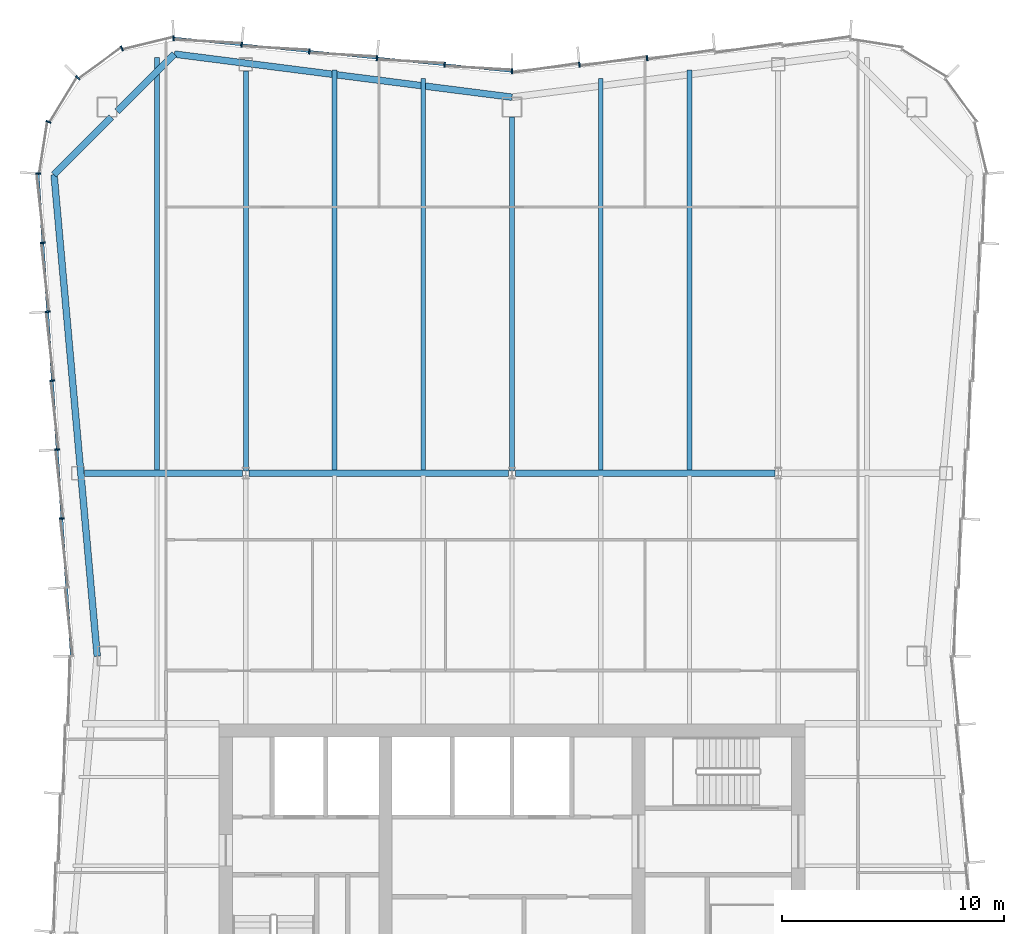
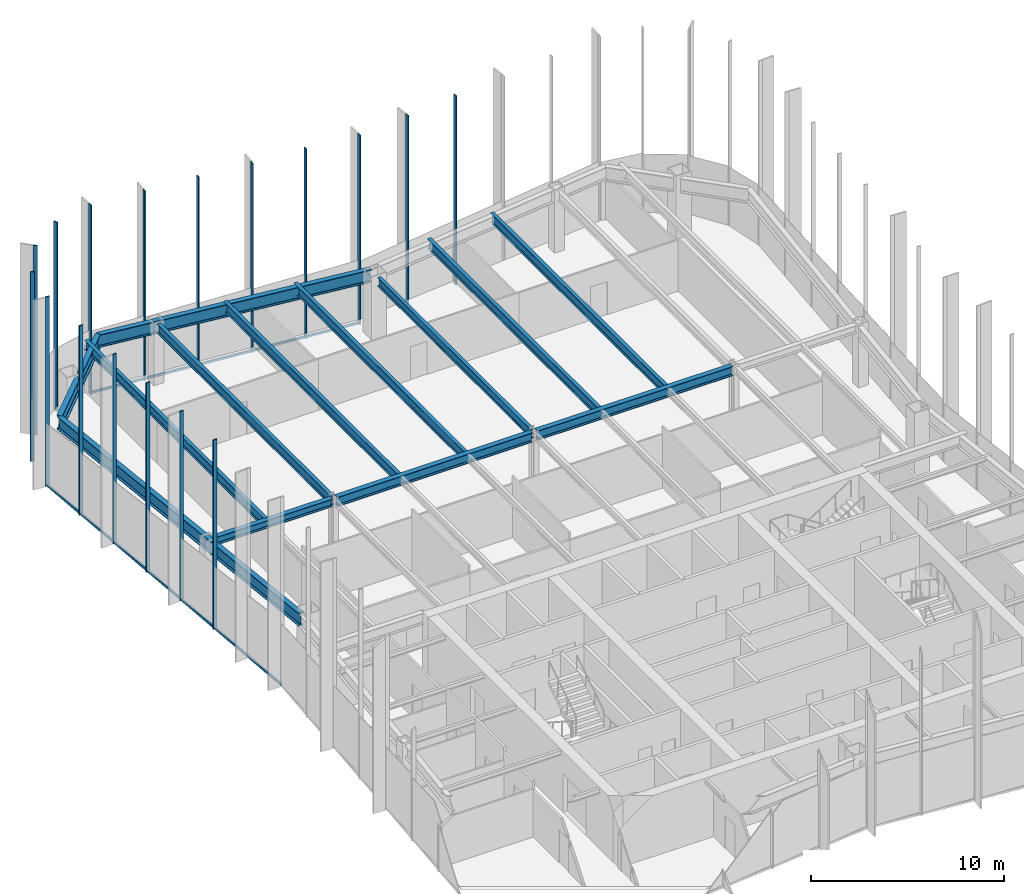
# One storey, part 6 of 13: 19 members, 14 beams, 3 elements without a shape of their own.
"""IFC4 building model written with IfcOpenShell, lengths in metres."""

from ifc_helpers import new_model, si_unit, direction, frame, origin, origin_2d, place, context, subcontext, project, spatial, rectangle, i_section, extrude, material, material_profile, profile_set, type_object, element, aggregate, save


model = new_model("IFC4")

# Units and contexts
model_context = context("Model", 3, precision=1e-05, world=origin(), true_north=direction((0.0, 1.0)))
body_context = subcontext(model_context, "Body", "Model", "MODEL_VIEW")
ifc_project = project(units=[si_unit("LENGTHUNIT", "METRE"), si_unit("AREAUNIT", "SQUARE_METRE"), si_unit("VOLUMEUNIT", "CUBIC_METRE"), si_unit("PLANEANGLEUNIT", "RADIAN"), si_unit("MASSUNIT", "GRAM", prefix="KILO")], contexts=[model_context])

# Site, building, storey
site_placement = place(None, origin())
site = spatial("IfcSite", under=ifc_project, at=site_placement, CompositionType="ELEMENT")
building_placement = place(site_placement, origin())
building = spatial("IfcBuilding", under=site, at=building_placement, Name="Verdant Reach Tower", CompositionType="ELEMENT")
storey_placement = place(building_placement, frame((0.0, 0.0, 318.0)))
storey = spatial("IfcBuildingStorey", under=building, at=storey_placement, Name="L73", CompositionType="ELEMENT", Elevation=318.0)

# Curtain wall, members
ifc_material_1 = material(Name="Anodised aluminium", Category="aluminium")
curtain_wall_type = type_object("IfcCurtainWallType", Name="EN-CW SYSTEM Z5", PredefinedType="NOTDEFINED", material=ifc_material_1)
curtain_wall_1_placement = place(storey_placement, origin())
curtain_wall_1 = element("IfcCurtainWall", 1, at=curtain_wall_1_placement, inside=storey, type_object=curtain_wall_type, Name="Curtain wall north, L73", PredefinedType="NOTDEFINED")
ifc_material_profile_1 = material_profile(ifc_material_1, rectangle(XDim=0.22998046875, YDim=0.070068359375, at=origin_2d()), Name="Mullion 70x230")
ifc_profile_set_1 = profile_set([ifc_material_profile_1], Name="Anodised aluminium")
member_type_1 = type_object("IfcMemberType", Name="EN-MULLION Z5", PredefinedType="MULLION", material=ifc_profile_set_1)
member_1_placement = place(storey_placement, frame((6.088623046875, 68.21435546875, -0.35009765625), z_axis=(0.0, 0.0, 1.0), x_axis=(-0.09788826992, 0.995197410875, 0.0)))
member_1 = element("IfcMember", 2, at=member_1_placement, type_object=member_type_1, Name="Mullion north face part 1 4, L73", PredefinedType="MULLION", context=body_context, shape_type="SweptSolid", body=[
    extrude(rectangle(XDim=0.22998046875, YDim=0.070068359375, at=origin_2d()), origin(), (0.0, 0.0, 1.0), 12.0),
])
member_2_placement = place(storey_placement, frame((3.038818359375, 67.91455078125, -0.35009765625), z_axis=(0.0, 0.0, 1.0), x_axis=(-0.09788826992, 0.995197410875, 0.0)))
member_2 = element("IfcMember", 3, at=member_2_placement, type_object=member_type_1, Name="Mullion north face part 1 5, L73", PredefinedType="MULLION", context=body_context, shape_type="SweptSolid", body=[
    extrude(rectangle(XDim=0.22998046875, YDim=0.070068359375, at=origin_2d()), origin(), (0.0, 0.0, 1.0), 12.0),
])
member_3_placement = place(storey_placement, frame((0.0, 67.614990234375, -0.35009765625), z_axis=(0.0, 0.0, 1.0), x_axis=(0.0, 1.0, 0.0)))
member_3 = element("IfcMember", 4, at=member_3_placement, type_object=member_type_1, Name="Mullion north face part 2 1, L73", PredefinedType="MULLION", context=body_context, shape_type="SweptSolid", body=[
    extrude(rectangle(XDim=0.22998046875, YDim=0.070068359375, at=origin_2d()), origin(), (0.0, 0.0, 1.0), 12.0),
])
member_4_placement = place(storey_placement, frame((-3.038818359375, 67.91455078125, -0.35009765625), z_axis=(0.0, 0.0, 1.0), x_axis=(0.09788826992, 0.995197410875, 0.0)))
member_4 = element("IfcMember", 5, at=member_4_placement, type_object=member_type_1, Name="Mullion north face part 2 2, L73", PredefinedType="MULLION", context=body_context, shape_type="SweptSolid", body=[
    extrude(rectangle(XDim=0.22998046875, YDim=0.070068359375, at=origin_2d()), origin(), (0.0, 0.0, 1.0), 12.0),
])
member_5_placement = place(storey_placement, frame((-6.088623046875, 68.21435546875, -0.35009765625), z_axis=(0.0, 0.0, 1.0), x_axis=(0.09788826992, 0.995197410875, 0.0)))
member_5 = element("IfcMember", 6, at=member_5_placement, type_object=member_type_1, Name="Mullion north face part 2 3, L73", PredefinedType="MULLION", context=body_context, shape_type="SweptSolid", body=[
    extrude(rectangle(XDim=0.22998046875, YDim=0.070068359375, at=origin_2d()), origin(), (0.0, 0.0, 1.0), 12.0),
])
member_6_placement = place(storey_placement, frame((-9.138671875, 68.514404296875, -0.35009765625), z_axis=(0.0, 0.0, 1.0), x_axis=(0.09788826992, 0.995197410875, 0.0)))
member_6 = element("IfcMember", 7, at=member_6_placement, type_object=member_type_1, Name="Mullion north face part 2 4, L73", PredefinedType="MULLION", context=body_context, shape_type="SweptSolid", body=[
    extrude(rectangle(XDim=0.22998046875, YDim=0.070068359375, at=origin_2d()), origin(), (0.0, 0.0, 1.0), 12.0),
])
member_7_placement = place(storey_placement, frame((-12.188720703125, 68.814453125, -0.35009765625), z_axis=(0.0, 0.0, 1.0), x_axis=(0.09788826992, 0.995197410875, 0.0)))
member_7 = element("IfcMember", 8, at=member_7_placement, type_object=member_type_1, Name="Mullion north face part 2 5, L73", PredefinedType="MULLION", context=body_context, shape_type="SweptSolid", body=[
    extrude(rectangle(XDim=0.22998046875, YDim=0.070068359375, at=origin_2d()), origin(), (0.0, 0.0, 1.0), 12.0),
])

curtain_wall_2_placement = place(storey_placement, origin())
curtain_wall_2 = element("IfcCurtainWall", 9, at=curtain_wall_2_placement, inside=storey, type_object=curtain_wall_type, Name="Curtain wall north-west corner, L73", PredefinedType="NOTDEFINED")
member_8_placement = place(storey_placement, frame((-15.255615234375, 69.11474609375, -0.35009765625), z_axis=(0.0, 0.0, 1.0), x_axis=(-0.049127596288, 0.998792510626, 0.0)))
member_8 = element("IfcMember", 10, at=member_8_placement, type_object=member_type_1, Name="Mullion north-west corner 1, L73", PredefinedType="MULLION", context=body_context, shape_type="SweptSolid", body=[
    extrude(rectangle(XDim=0.22998046875, YDim=0.070068359375, at=origin_2d()), origin(), (0.0, 0.0, 1.0), 12.0),
])
member_9_placement = place(storey_placement, frame((-17.590087890625, 68.649658203125, -0.35009765625), z_axis=(0.0, 0.0, 1.0), x_axis=(-0.382693853776, 0.923875215753, 0.0)))
member_9 = element("IfcMember", 11, at=member_9_placement, type_object=member_type_1, Name="Mullion north-west corner 2, L73", PredefinedType="MULLION", context=body_context, shape_type="SweptSolid", body=[
    extrude(rectangle(XDim=0.22998046875, YDim=0.070068359375, at=origin_2d()), origin(), (0.0, 0.0, 1.0), 12.0),
])
member_10_placement = place(storey_placement, frame((-19.573974609375, 67.323974609375, -0.35009765625), z_axis=(0.0, 0.0, 1.0), x_axis=(-0.707106781187, 0.707106781187, 0.0)))
member_10 = element("IfcMember", 12, at=member_10_placement, type_object=member_type_1, Name="Mullion north-west corner 3, L73", PredefinedType="MULLION", context=body_context, shape_type="SweptSolid", body=[
    extrude(rectangle(XDim=0.22998046875, YDim=0.070068359375, at=origin_2d()), origin(), (0.0, 0.0, 1.0), 12.0),
])
member_11_placement = place(storey_placement, frame((-20.899658203125, 65.340087890625, -0.35009765625), z_axis=(0.0, 0.0, 1.0), x_axis=(-0.923875215753, 0.382693853776, 0.0)))
member_11 = element("IfcMember", 13, at=member_11_placement, type_object=member_type_1, Name="Mullion north-west corner 4, L73", PredefinedType="MULLION", context=body_context, shape_type="SweptSolid", body=[
    extrude(rectangle(XDim=0.22998046875, YDim=0.070068359375, at=origin_2d()), origin(), (0.0, 0.0, 1.0), 12.0),
])
aggregate(curtain_wall_2, [member_8, member_9, member_10, member_11])

curtain_wall_3_placement = place(storey_placement, origin())
curtain_wall_3 = element("IfcCurtainWall", 14, at=curtain_wall_3_placement, inside=storey, type_object=curtain_wall_type, Name="Curtain wall west, L73", PredefinedType="NOTDEFINED")
member_12_placement = place(storey_placement, frame((-21.36474609375, 63.00732421875, -0.35009765625), z_axis=(0.0, 0.0, 1.0), x_axis=(-0.997969180898, 0.063698618332, 0.0)))
member_12 = element("IfcMember", 15, at=member_12_placement, type_object=member_type_1, Name="Mullion west face part 1 1, L73", PredefinedType="MULLION", context=body_context, shape_type="SweptSolid", body=[
    extrude(rectangle(XDim=0.22998046875, YDim=0.070068359375, at=origin_2d()), origin(), (0.0, 0.0, 1.0), 12.0),
])
member_13_placement = place(storey_placement, frame((-21.150390625, 59.885009765625, -0.35009765625), z_axis=(0.0, 0.0, 1.0), x_axis=(-0.997630328423, -0.068802091615, 0.0)))
member_13 = element("IfcMember", 16, at=member_13_placement, type_object=member_type_1, Name="Mullion west face part 1 2, L73", PredefinedType="MULLION", context=body_context, shape_type="SweptSolid", body=[
    extrude(rectangle(XDim=0.22998046875, YDim=0.070068359375, at=origin_2d()), origin(), (0.0, 0.0, 1.0), 12.0),
])
member_14_placement = place(storey_placement, frame((-20.93603515625, 56.77783203125, -0.35009765625), z_axis=(0.0, 0.0, 1.0), x_axis=(-0.997630328423, -0.068802091615, 0.0)))
member_14 = element("IfcMember", 17, at=member_14_placement, type_object=member_type_1, Name="Mullion west face part 1 3, L73", PredefinedType="MULLION", context=body_context, shape_type="SweptSolid", body=[
    extrude(rectangle(XDim=0.22998046875, YDim=0.070068359375, at=origin_2d()), origin(), (0.0, 0.0, 1.0), 12.0),
])
member_15_placement = place(storey_placement, frame((-20.721923828125, 53.670654296875, -0.35009765625), z_axis=(0.0, 0.0, 1.0), x_axis=(-0.997630328423, -0.068802091615, 0.0)))
member_15 = element("IfcMember", 18, at=member_15_placement, type_object=member_type_1, Name="Mullion west face part 1 4, L73", PredefinedType="MULLION", context=body_context, shape_type="SweptSolid", body=[
    extrude(rectangle(XDim=0.22998046875, YDim=0.070068359375, at=origin_2d()), origin(), (0.0, 0.0, 1.0), 12.0),
])
member_16_placement = place(storey_placement, frame((-20.507568359375, 50.5634765625, -0.35009765625), z_axis=(0.0, 0.0, 1.0), x_axis=(-0.997630328423, -0.068802091615, 0.0)))
member_16 = element("IfcMember", 19, at=member_16_placement, type_object=member_type_1, Name="Mullion west face part 1 5, L73", PredefinedType="MULLION", context=body_context, shape_type="SweptSolid", body=[
    extrude(rectangle(XDim=0.22998046875, YDim=0.070068359375, at=origin_2d()), origin(), (0.0, 0.0, 1.0), 12.0),
])
member_17_placement = place(storey_placement, frame((-20.293212890625, 47.456298828125, -0.35009765625), z_axis=(0.0, 0.0, 1.0), x_axis=(-0.997630328423, -0.068802091615, 0.0)))
member_17 = element("IfcMember", 20, at=member_17_placement, type_object=member_type_1, Name="Mullion west face part 1 6, L73", PredefinedType="MULLION", context=body_context, shape_type="SweptSolid", body=[
    extrude(rectangle(XDim=0.22998046875, YDim=0.070068359375, at=origin_2d()), origin(), (0.0, 0.0, 1.0), 12.0),
])

# Member
ifc_material_profile_2 = material_profile(ifc_material_1, rectangle(XDim=0.10009765625, YDim=0.1298828125, at=origin_2d()), Name="Transom 130x100")
ifc_profile_set_2 = profile_set([ifc_material_profile_2], Name="Anodised aluminium")
member_type_2 = type_object("IfcMemberType", Name="EN-TRANSOM Z5", PredefinedType="USERDEFINED", material=ifc_profile_set_2)
member_18_placement = place(storey_placement, frame((-0.034912109375, 67.618408203125, -0.284912109375), z_axis=(-0.99520229006, 0.097838652171, 0.0), x_axis=(-0.097838652171, -0.99520229006, 0.0)))
member_18 = element("IfcMember", 21, at=member_18_placement, type_object=member_type_2, Name="Transom north face part 2 1.1, L73", ObjectType="TRANSOM", PredefinedType="USERDEFINED", context=body_context, shape_type="SweptSolid", body=[
    extrude(rectangle(XDim=0.10009765625, YDim=0.1298828125, at=origin_2d()), origin(), (0.0, 0.0, 1.0), 15.259033203125),
])

aggregate(curtain_wall_1, [member_1, member_2, member_3, member_4, member_5, member_6, member_7, member_18])

member_19_placement = place(storey_placement, frame((-21.3623046875, 62.972412109375, -0.284912109375), z_axis=(0.068764705107, -0.997632906099, 0.0), x_axis=(0.997632906099, 0.068764705107, 0.0)))
member_19 = element("IfcMember", 22, at=member_19_placement, type_object=member_type_2, Name="Transom west face part 1 1.1, L73", ObjectType="TRANSOM", PredefinedType="USERDEFINED", context=body_context, shape_type="SweptSolid", body=[
    extrude(rectangle(XDim=0.10009765625, YDim=0.1298828125, at=origin_2d()), origin(), (0.0, 0.0, 1.0), 21.739013671875),
])

aggregate(curtain_wall_3, [member_12, member_13, member_14, member_15, member_16, member_17, member_19])

# Beams
ifc_material_2 = material(Name="Steel S355", Category="steel")
ifc_material_profile_3 = material_profile(ifc_material_2, i_section(OverallWidth=0.300048828125, OverallDepth=0.489990234375, WebThickness=0.011962890625, FlangeThickness=0.02294921875, FilletRadius=0.027099609375, at=origin_2d()), Name="HEA 500")
ifc_profile_set_3 = profile_set([ifc_material_profile_3], Name="Steel S355")
beam_type_1 = type_object("IfcBeamType", Name="ST-BEAM-HEA500", PredefinedType="BEAM", material=ifc_profile_set_3)
beam_1_placement = place(storey_placement, frame((-19.26904296875, 49.5, 3.625), z_axis=(1.0, 0.0, 0.0), x_axis=(0.0, 1.0, 0.0)))
element("IfcBeam", 23, at=beam_1_placement, inside=storey, type_object=beam_type_1, Name="Row girder, L73", PredefinedType="BEAM", context=body_context, shape_type="SweptSolid", body=[
    extrude(i_section(OverallWidth=0.300048828125, OverallDepth=0.489990234375, WebThickness=0.011962890625, FlangeThickness=0.02294921875, FilletRadius=0.027099609375, at=origin_2d()), origin(), (0.0, 0.0, 1.0), 7.115966796875),
])
ifc_material_profile_4 = material_profile(ifc_material_2, i_section(OverallWidth=0.300048828125, OverallDepth=0.60009765625, WebThickness=0.015380859375, FlangeThickness=0.030029296875, FilletRadius=0.027099609375, at=origin_2d()), Name="HEB 600")
ifc_profile_set_4 = profile_set([ifc_material_profile_4], Name="Steel S355")
beam_type_2 = type_object("IfcBeamType", Name="ST-BEAM-HEB600", PredefinedType="BEAM", material=ifc_profile_set_4)
for number, where, z_axis, x_axis, name in (
    (24, (-11.846923828125, 49.5, 3.570068359375), (1.0, 0.0, 0.0), (0.0, 1.0, 0.0), "Row girder, L73"),
    (25, (0.153076171875, 49.5, 3.570068359375), (1.0, 0.0, 0.0), (0.0, 1.0, 0.0), "Row girder, L73"),
):
    element("IfcBeam", number, at=place(storey_placement, frame(where, z_axis=z_axis, x_axis=x_axis)), inside=storey, type_object=beam_type_2, Name=name, PredefinedType="BEAM", context=body_context, shape_type="SweptSolid", body=[
        extrude(i_section(OverallWidth=0.300048828125, OverallDepth=0.60009765625, WebThickness=0.015380859375, FlangeThickness=0.030029296875, FilletRadius=0.027099609375, at=origin_2d()), origin(), (0.0, 0.0, 1.0), 11.69384765625),
    ])
ifc_material_profile_5 = material_profile(ifc_material_2, i_section(OverallWidth=0.2099609375, OverallDepth=0.550048828125, WebThickness=0.010986328125, FlangeThickness=0.01708984375, FilletRadius=0.02392578125, at=origin_2d()), Name="IPE 550")
ifc_profile_set_5 = profile_set([ifc_material_profile_5], Name="Steel S355")
beam_type_3 = type_object("IfcBeamType", Name="ST-JOIST-IPE550", PredefinedType="JOIST", material=ifc_profile_set_5)
beam_2_placement = place(storey_placement, frame((0.0, 49.60009765625, 3.594970703125), z_axis=(0.0, 1.0, 0.0), x_axis=(-1.0, 0.0, 0.0)))
element("IfcBeam", 26, at=beam_2_placement, inside=storey, type_object=beam_type_3, Name="Floor joist, L73", PredefinedType="JOIST", context=body_context, shape_type="SweptSolid", body=[
    extrude(i_section(OverallWidth=0.2099609375, OverallDepth=0.550048828125, WebThickness=0.010986328125, FlangeThickness=0.01708984375, FilletRadius=0.02392578125, at=origin_2d()), origin(), (0.0, 0.0, 1.0), 15.949951171875),
])
ifc_material_profile_6 = material_profile(ifc_material_2, i_section(OverallWidth=0.219970703125, OverallDepth=0.60009765625, WebThickness=0.011962890625, FlangeThickness=0.01904296875, FilletRadius=0.02392578125, at=origin_2d()), Name="IPE 600")
ifc_profile_set_6 = profile_set([ifc_material_profile_6], Name="Steel S355")
beam_type_4 = type_object("IfcBeamType", Name="ST-JOIST-IPE600", PredefinedType="JOIST", material=ifc_profile_set_6)
beam_3_placement = place(storey_placement, frame((-16.0, 49.60009765625, 3.570068359375), z_axis=(0.0, 1.0, 0.0), x_axis=(-1.0, 0.0, 0.0)))
element("IfcBeam", 27, at=beam_3_placement, inside=storey, type_object=beam_type_4, Name="Floor joist, L73", PredefinedType="JOIST", context=body_context, shape_type="SweptSolid", body=[
    extrude(i_section(OverallWidth=0.219970703125, OverallDepth=0.60009765625, WebThickness=0.011962890625, FlangeThickness=0.01904296875, FilletRadius=0.02392578125, at=origin_2d()), origin(), (0.0, 0.0, 1.0), 18.638916015625),
])
beam_4_placement = place(storey_placement, frame((-12.0, 49.60009765625, 3.570068359375), z_axis=(0.0, 1.0, 0.0), x_axis=(-1.0, 0.0, 0.0)))
element("IfcBeam", 28, at=beam_4_placement, inside=storey, type_object=beam_type_4, Name="Floor joist, L73", PredefinedType="JOIST", context=body_context, shape_type="SweptSolid", body=[
    extrude(i_section(OverallWidth=0.219970703125, OverallDepth=0.60009765625, WebThickness=0.011962890625, FlangeThickness=0.01904296875, FilletRadius=0.02392578125, at=origin_2d()), origin(), (0.0, 0.0, 1.0), 18.0302734375),
])
beam_5_placement = place(storey_placement, frame((-8.0, 49.60009765625, 3.570068359375), z_axis=(0.0, 1.0, 0.0), x_axis=(-1.0, 0.0, 0.0)))
element("IfcBeam", 29, at=beam_5_placement, inside=storey, type_object=beam_type_4, Name="Floor joist, L73", PredefinedType="JOIST", context=body_context, shape_type="SweptSolid", body=[
    extrude(i_section(OverallWidth=0.219970703125, OverallDepth=0.60009765625, WebThickness=0.011962890625, FlangeThickness=0.01904296875, FilletRadius=0.02392578125, at=origin_2d()), origin(), (0.0, 0.0, 1.0), 18.083984375),
])
for number, where, z_axis, x_axis, name in (
    (30, (-4.0, 49.60009765625, 3.570068359375), (0.0, 1.0, 0.0), (-1.0, 0.0, 0.0), "Floor joist, L73"),
    (31, (4.0, 49.60009765625, 3.570068359375), (0.0, 1.0, 0.0), (-1.0, 0.0, 0.0), "Floor joist, L73"),
):
    element("IfcBeam", number, at=place(storey_placement, frame(where, z_axis=z_axis, x_axis=x_axis)), inside=storey, type_object=beam_type_4, Name=name, PredefinedType="JOIST", context=body_context, shape_type="SweptSolid", body=[
        extrude(i_section(OverallWidth=0.219970703125, OverallDepth=0.60009765625, WebThickness=0.011962890625, FlangeThickness=0.01904296875, FilletRadius=0.02392578125, at=origin_2d()), origin(), (0.0, 0.0, 1.0), 17.6904296875),
    ])
beam_6_placement = place(storey_placement, frame((8.0, 49.60009765625, 3.570068359375), z_axis=(0.0, 1.0, 0.0), x_axis=(-1.0, 0.0, 0.0)))
element("IfcBeam", 32, at=beam_6_placement, inside=storey, type_object=beam_type_4, Name="Floor joist, L73", PredefinedType="JOIST", context=body_context, shape_type="SweptSolid", body=[
    extrude(i_section(OverallWidth=0.219970703125, OverallDepth=0.60009765625, WebThickness=0.011962890625, FlangeThickness=0.01904296875, FilletRadius=0.02392578125, at=origin_2d()), origin(), (0.0, 0.0, 1.0), 18.083984375),
])
ifc_material_profile_7 = material_profile(ifc_material_2, i_section(OverallWidth=0.300048828125, OverallDepth=0.800048828125, WebThickness=0.017578125, FlangeThickness=0.032958984375, FilletRadius=0.030029296875, at=origin_2d()), Name="HEB 800")
ifc_profile_set_7 = profile_set([ifc_material_profile_7], Name="Steel S355")
beam_type_5 = type_object("IfcBeamType", Name="ST-SPANDREL-HEB800", PredefinedType="SPANDREL", material=ifc_profile_set_7)
beam_7_placement = place(storey_placement, frame((-18.699951171875, 41.25, 3.469970703125), z_axis=(-0.089274399498, 0.996007069048, 0.0), x_axis=(-0.996007069048, -0.089274399498, 0.0)))
element("IfcBeam", 33, at=beam_7_placement, inside=storey, type_object=beam_type_5, Name="Edge beam, L73", PredefinedType="SPANDREL", context=body_context, shape_type="SweptSolid", body=[
    extrude(i_section(OverallWidth=0.300048828125, OverallDepth=0.800048828125, WebThickness=0.017578125, FlangeThickness=0.032958984375, FilletRadius=0.030029296875, at=origin_2d()), origin(), (0.0, 0.0, 1.0), 21.798583984375),
])
beam_8_placement = place(storey_placement, frame((-15.22021484375, 68.394287109375, 3.469970703125), z_axis=(0.991938889669, -0.126717162063, 0.0), x_axis=(0.126717162063, 0.991938889669, 0.0)))
element("IfcBeam", 34, at=beam_8_placement, inside=storey, type_object=beam_type_5, Name="Edge beam, L73", PredefinedType="SPANDREL", context=body_context, shape_type="SweptSolid", body=[
    extrude(i_section(OverallWidth=0.300048828125, OverallDepth=0.800048828125, WebThickness=0.017578125, FlangeThickness=0.032958984375, FilletRadius=0.030029296875, at=origin_2d()), origin(), (0.0, 0.0, 1.0), 15.343994140625),
])
ifc_material_profile_8 = material_profile(ifc_material_2, i_section(OverallWidth=0.302001953125, OverallDepth=0.909912109375, WebThickness=0.02099609375, FlangeThickness=0.0400390625, FilletRadius=0.030029296875, at=origin_2d()), Name="HEM 900")
ifc_profile_set_8 = profile_set([ifc_material_profile_8], Name="Steel S355")
beam_type_6 = type_object("IfcBeamType", Name="ST-SPANDREL-HEM900", PredefinedType="SPANDREL", material=ifc_profile_set_8)
beam_9_placement = place(storey_placement, frame((-20.64599609375, 62.96142578125, 3.4150390625), z_axis=(0.706639493403, 0.707573760369, 0.0), x_axis=(-0.707573760369, 0.706639493403, 0.0)))
element("IfcBeam", 35, at=beam_9_placement, inside=storey, type_object=beam_type_6, Name="Edge beam, L73", PredefinedType="SPANDREL", context=body_context, shape_type="SweptSolid", body=[
    extrude(i_section(OverallWidth=0.302001953125, OverallDepth=0.909912109375, WebThickness=0.02099609375, FlangeThickness=0.0400390625, FilletRadius=0.030029296875, at=origin_2d()), origin(), (0.0, 0.0, 1.0), 3.658447265625),
])
beam_10_placement = place(storey_placement, frame((-17.800048828125, 65.81103515625, 3.4150390625), z_axis=(0.706638520854, 0.707574731632, 0.0), x_axis=(-0.707574731632, 0.706638520854, 0.0)))
element("IfcBeam", 36, at=beam_10_placement, inside=storey, type_object=beam_type_6, Name="Edge beam, L73", PredefinedType="SPANDREL", context=body_context, shape_type="SweptSolid", body=[
    extrude(i_section(OverallWidth=0.302001953125, OverallDepth=0.909912109375, WebThickness=0.02099609375, FlangeThickness=0.0400390625, FilletRadius=0.030029296875, at=origin_2d()), origin(), (0.0, 0.0, 1.0), 3.65087890625),
])

save(model, "model.ifc")
